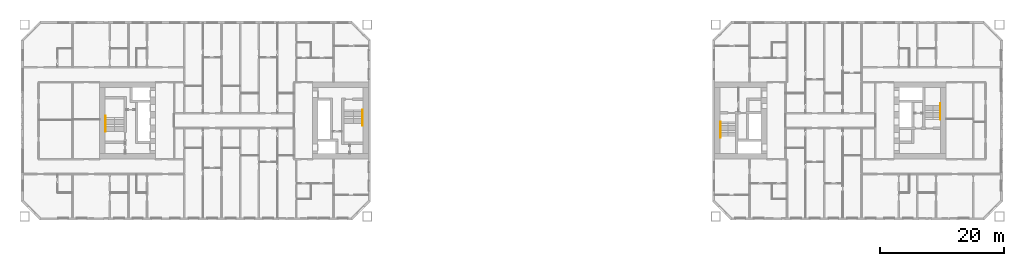
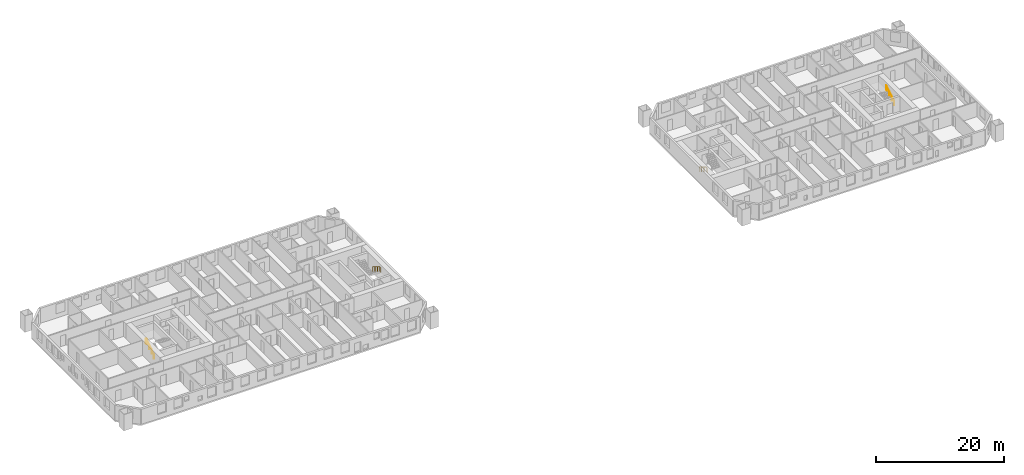
# One storey, part 17 of 17: 4 railings.
"""IFC4 building model written with IfcOpenShell, lengths in metres."""

from ifc_helpers import new_model, si_unit, direction, frame, origin, origin_2d, place, context, subcontext, project, spatial, circle, extrude, material, type_object, element, save


model = new_model("IFC4")

# Units and contexts
model_context = context("Model", 3, precision=1e-05, world=origin(), true_north=direction((0.0, 1.0)))
body_context = subcontext(model_context, "Body", "Model", "MODEL_VIEW")
ifc_project = project(units=[si_unit("LENGTHUNIT", "METRE"), si_unit("AREAUNIT", "SQUARE_METRE"), si_unit("VOLUMEUNIT", "CUBIC_METRE"), si_unit("PLANEANGLEUNIT", "RADIAN"), si_unit("MASSUNIT", "GRAM", prefix="KILO")], contexts=[model_context])

# Site, building, storey
site_placement = place(None, origin())
site = spatial("IfcSite", under=ifc_project, at=site_placement, CompositionType="ELEMENT")
building_placement = place(site_placement, origin())
building = spatial("IfcBuilding", under=site, at=building_placement, Name="Tuart Gate Housing", CompositionType="ELEMENT")
storey_placement = place(building_placement, frame((0.0, 0.0, 25.699951171875)))
storey = spatial("IfcBuildingStorey", under=building, at=storey_placement, Name="L06", CompositionType="ELEMENT", Elevation=25.699951171875)

# Railings
ifc_material = material(Name="Stainless steel", Category="steel")
railing_type = type_object("IfcRailingType", Name="Stair handrail 900", PredefinedType="HANDRAIL", material=ifc_material)
railing_1_placement = place(storey_placement, frame((74.679931640625, 71.75, 0.17236328125)))
element("IfcRailing", 1, at=railing_1_placement, inside=storey, type_object=railing_type, Name="Stair handrail SA1.1", PredefinedType="HANDRAIL", context=body_context, shape_type="SweptSolid", body=[
    extrude(circle(Radius=0.02392578125, at=origin_2d()), frame((0.0, 0.0, 0.8759765625), z_axis=(0.0, -0.85178898068, 0.523885037382), x_axis=(1.0, 0.0, 0.0)), (0.0, 0.0, 1.0), 2.629638671875),
    extrude(circle(Radius=0.02392578125, at=origin_2d()), frame((0.0, -2.239990234375, 2.25341796875), z_axis=(0.0, -1.0, 0.0), x_axis=(1.0, 0.0, 0.0)), (0.0, 0.0, 1.0), 0.300048828125),
    extrude(circle(Radius=0.02099609375, at=origin_2d()), origin(), (0.0, 0.0, 1.0), 0.851806640625),
    extrude(circle(Radius=0.02099609375, at=origin_2d()), frame((0.0, -0.74658203125, 0.459228515625)), (0.0, 0.0, 1.0), 0.851806640625),
    extrude(circle(Radius=0.02099609375, at=origin_2d()), frame((0.0, -1.493408203125, 0.91845703125)), (0.0, 0.0, 1.0), 0.851806640625),
    extrude(circle(Radius=0.02099609375, at=origin_2d()), frame((0.0, -2.239990234375, 1.377685546875)), (0.0, 0.0, 1.0), 0.851806640625),
    extrude(circle(Radius=0.02099609375, at=origin_2d()), frame((0.0, -2.5400390625, 1.377685546875)), (0.0, 0.0, 1.0), 0.851806640625),
])
railing_2_placement = place(storey_placement, frame((33.320068359375, 68.25, 0.17236328125)))
element("IfcRailing", 2, at=railing_2_placement, inside=storey, type_object=railing_type, Name="Stair handrail SA2.1", PredefinedType="HANDRAIL", context=body_context, shape_type="SweptSolid", body=[
    extrude(circle(Radius=0.02392578125, at=origin_2d()), frame((0.0, 0.0, 0.8759765625), z_axis=(0.0, 0.85178898068, 0.523885037382), x_axis=(-1.0, 0.0, 0.0)), (0.0, 0.0, 1.0), 2.629638671875),
    extrude(circle(Radius=0.02392578125, at=origin_2d()), frame((0.0, 2.239990234375, 2.25341796875), z_axis=(0.0, 1.0, 0.0), x_axis=(-1.0, 0.0, 0.0)), (0.0, 0.0, 1.0), 0.300048828125),
    extrude(circle(Radius=0.02099609375, at=origin_2d()), origin(), (0.0, 0.0, 1.0), 0.851806640625),
    extrude(circle(Radius=0.02099609375, at=origin_2d()), frame((0.0, 0.74658203125, 0.459228515625)), (0.0, 0.0, 1.0), 0.851806640625),
    extrude(circle(Radius=0.02099609375, at=origin_2d()), frame((0.0, 1.493408203125, 0.91845703125)), (0.0, 0.0, 1.0), 0.851806640625),
    extrude(circle(Radius=0.02099609375, at=origin_2d()), frame((0.0, 2.239990234375, 1.377685546875)), (0.0, 0.0, 1.0), 0.851806640625),
    extrude(circle(Radius=0.02099609375, at=origin_2d()), frame((0.0, 2.5400390625, 1.377685546875)), (0.0, 0.0, 1.0), 0.851806640625),
])
railing_3_placement = place(storey_placement, frame((132.320068359375, 69.800048828125, 0.17236328125)))
element("IfcRailing", 3, at=railing_3_placement, inside=storey, type_object=railing_type, Name="Stair handrail SB1.1", PredefinedType="HANDRAIL", context=body_context, shape_type="SweptSolid", body=[
    extrude(circle(Radius=0.02392578125, at=origin_2d()), frame((0.0, 0.0, 0.8759765625), z_axis=(0.0, -0.85178898068, 0.523885037382), x_axis=(1.0, 0.0, 0.0)), (0.0, 0.0, 1.0), 2.629638671875),
    extrude(circle(Radius=0.02392578125, at=origin_2d()), frame((0.0, -2.239990234375, 2.25341796875), z_axis=(0.0, -1.0, 0.0), x_axis=(1.0, 0.0, 0.0)), (0.0, 0.0, 1.0), 0.300048828125),
    extrude(circle(Radius=0.02099609375, at=origin_2d()), origin(), (0.0, 0.0, 1.0), 0.851806640625),
    extrude(circle(Radius=0.02099609375, at=origin_2d()), frame((0.0, -0.74658203125, 0.459228515625)), (0.0, 0.0, 1.0), 0.851806640625),
    extrude(circle(Radius=0.02099609375, at=origin_2d()), frame((0.0, -1.493408203125, 0.91845703125)), (0.0, 0.0, 1.0), 0.851806640625),
    extrude(circle(Radius=0.02099609375, at=origin_2d()), frame((0.0, -2.239990234375, 1.377685546875)), (0.0, 0.0, 1.0), 0.851806640625),
    extrude(circle(Radius=0.02099609375, at=origin_2d()), frame((0.0, -2.5400390625, 1.377685546875)), (0.0, 0.0, 1.0), 0.851806640625),
])
railing_4_placement = place(storey_placement, frame((167.679931640625, 70.199951171875, 0.17236328125)))
element("IfcRailing", 4, at=railing_4_placement, inside=storey, type_object=railing_type, Name="Stair handrail SB2.1", PredefinedType="HANDRAIL", context=body_context, shape_type="SweptSolid", body=[
    extrude(circle(Radius=0.02392578125, at=origin_2d()), frame((0.0, 0.0, 0.8759765625), z_axis=(0.0, 0.85178898068, 0.523885037382), x_axis=(-1.0, 0.0, 0.0)), (0.0, 0.0, 1.0), 2.629638671875),
    extrude(circle(Radius=0.02392578125, at=origin_2d()), frame((0.0, 2.239990234375, 2.25341796875), z_axis=(0.0, 1.0, 0.0), x_axis=(-1.0, 0.0, 0.0)), (0.0, 0.0, 1.0), 0.300048828125),
    extrude(circle(Radius=0.02099609375, at=origin_2d()), origin(), (0.0, 0.0, 1.0), 0.851806640625),
    extrude(circle(Radius=0.02099609375, at=origin_2d()), frame((0.0, 0.74658203125, 0.459228515625)), (0.0, 0.0, 1.0), 0.851806640625),
    extrude(circle(Radius=0.02099609375, at=origin_2d()), frame((0.0, 1.493408203125, 0.91845703125)), (0.0, 0.0, 1.0), 0.851806640625),
    extrude(circle(Radius=0.02099609375, at=origin_2d()), frame((0.0, 2.239990234375, 1.377685546875)), (0.0, 0.0, 1.0), 0.851806640625),
    extrude(circle(Radius=0.02099609375, at=origin_2d()), frame((0.0, 2.5400390625, 1.377685546875)), (0.0, 0.0, 1.0), 0.851806640625),
])

save(model, "model.ifc")
